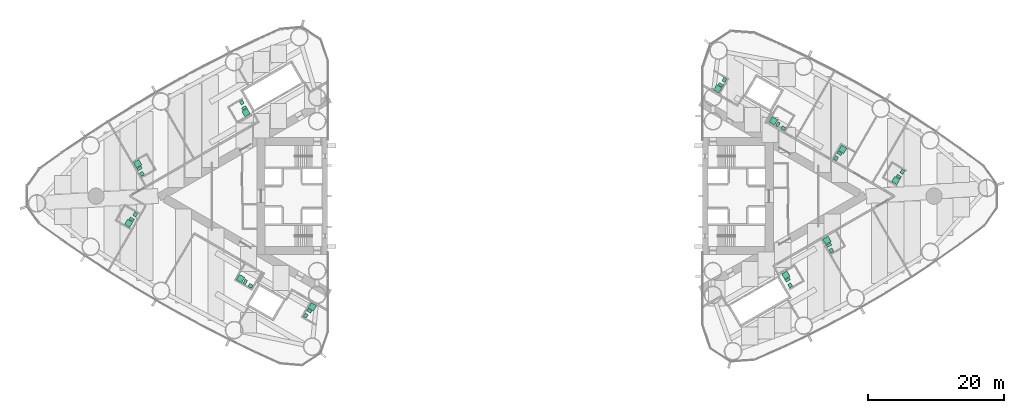
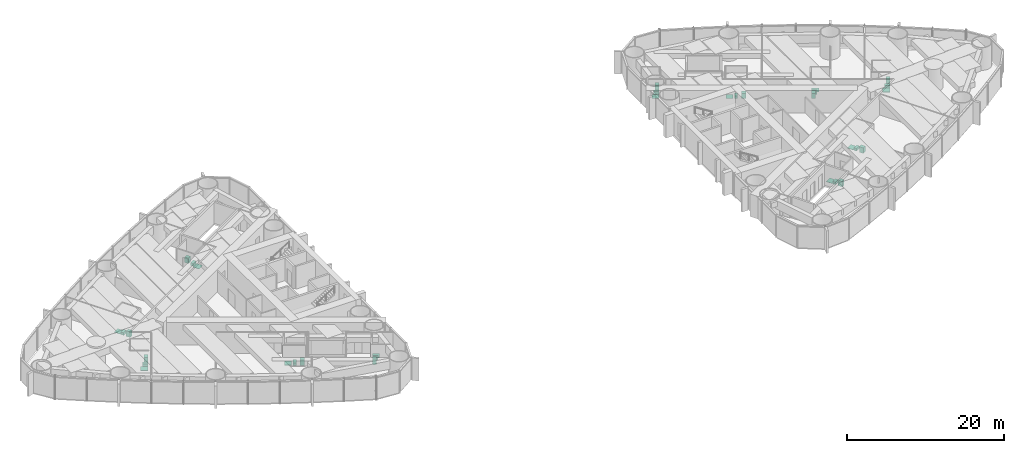
# One storey, part 18 of 18: 15 sanitary terminals.
"""IFC4 building model written with IfcOpenShell, lengths in metres."""

import ifcopenshell
import ifcopenshell.guid

model = None  # the IFC model being written
_history = None  # IfcOwnerHistory: only IFC2X3 demands one
_inside = {}  # id of a spatial element -> (the spatial element, [elements in it])
_under = {}  # id of a project, library or spatial element -> (it, [spatial elements below it])
_declared = {}  # id of a project -> (the project, [libraries it declares])
_typed = {}  # id of a type object -> (the type object, [elements of that type])
_made_of = {}  # id of a material, layer set ... -> (it, [elements and type objects made of it])


def new_model(schema):
    """Start an empty IFC model of exactly this schema.

    Asked for "IFC4X3", IfcOpenShell would pick the latest addendum, in which some entities
    have other attributes; the version numbers below select the first issue.
    IFC2X3 requires an IfcOwnerHistory on every rooted entity: one is made here for all.
    """
    global model, _history
    if schema == "IFC4X3":
        model = ifcopenshell.file(schema_version=(4, 3, 0, 0))
    else:
        model = ifcopenshell.file(schema=schema)
    _inside.clear()
    _under.clear()
    _declared.clear()
    _typed.clear()
    _made_of.clear()
    _history = None
    if model.schema == "IFC2X3":
        org = make("IfcOrganization", Name="unknown")
        user = make(
            "IfcPersonAndOrganization",
            ThePerson=make("IfcPerson", FamilyName="unknown"),
            TheOrganization=org,
        )
        app = make(
            "IfcApplication",
            ApplicationDeveloper=org,
            Version="unknown",
            ApplicationFullName="unknown",
            ApplicationIdentifier="unknown",
        )
        _history = make(
            "IfcOwnerHistory",
            OwningUser=user,
            OwningApplication=app,
            ChangeAction="ADDED",
            CreationDate=0,
        )
    return model


def make(cls, **values):
    """One entity of the class cls with the attributes given. An attribute that is None is left unset."""
    return model.create_entity(
        cls, **{name: value for name, value in values.items() if value is not None}
    )


def rooted(cls, **values):
    """An entity with a GlobalId (a new one), such as an element, a storey or a relation."""
    return make(cls, GlobalId=ifcopenshell.guid.new(), OwnerHistory=_history, **values)


def si_unit(unit_type, name, prefix=None):
    """IfcSIUnit, for example si_unit("LENGTHUNIT", "METRE", prefix="MILLI")."""
    return make("IfcSIUnit", UnitType=unit_type, Prefix=prefix, Name=name)


def assignment(units):
    """IfcUnitAssignment: the units of a project."""
    return None if units is None else make("IfcUnitAssignment", Units=units)


def point(xyz):
    """IfcCartesianPoint."""
    return None if xyz is None else make("IfcCartesianPoint", Coordinates=xyz)


def direction(xyz):
    """IfcDirection."""
    return None if xyz is None else make("IfcDirection", DirectionRatios=xyz)


def frame(location, z_axis=None, x_axis=None):
    """IfcAxis2Placement3D, a coordinate frame: its origin and axes. An axis left out is left unset."""
    return make(
        "IfcAxis2Placement3D",
        Location=point(location),
        Axis=direction(z_axis),
        RefDirection=direction(x_axis),
    )


def frame_2d(location, x_axis=None):
    """IfcAxis2Placement2D, a coordinate frame in the plane: its origin and x axis."""
    return make(
        "IfcAxis2Placement2D", Location=point(location), RefDirection=direction(x_axis)
    )


def origin():
    """The frame at (0, 0, 0) with its axes left unset."""
    return frame((0.0, 0.0, 0.0))


def origin_2d():
    """The frame at (0, 0) in the plane with its x axis left unset."""
    return frame_2d((0.0, 0.0))


def place(relative_to, where):
    """IfcLocalPlacement: puts the frame where relative to a parent placement (None: the world)."""
    return make(
        "IfcLocalPlacement", PlacementRelTo=relative_to, RelativePlacement=where
    )


def context(
    kind, dimensions, precision=None, world=None, true_north=None, identifier=None
):
    """IfcGeometricRepresentationContext, for example the 3D "Model" context."""
    return make(
        "IfcGeometricRepresentationContext",
        ContextIdentifier=identifier,
        ContextType=kind,
        CoordinateSpaceDimension=dimensions,
        Precision=precision,
        WorldCoordinateSystem=world,
        TrueNorth=true_north,
    )


def subcontext(parent, identifier, kind, view, scale=None):
    """IfcGeometricRepresentationSubContext, for example "Body" below "Model"."""
    return make(
        "IfcGeometricRepresentationSubContext",
        ContextIdentifier=identifier,
        ContextType=kind,
        ParentContext=parent,
        TargetScale=scale,
        TargetView=view,
    )


def project(units=None, contexts=None):
    """IfcProject with its units and contexts."""
    return rooted(
        "IfcProject",
        Name="project",
        RepresentationContexts=contexts,
        UnitsInContext=assignment(units),
    )


def spatial(cls, under=None, at=None, **own):
    """A site, building, storey or space (cls), placed at a placement, below another one or the project."""
    s = rooted(cls, ObjectPlacement=at, **own)
    if under is not None:
        _under.setdefault(under.id(), (under, []))[1].append(s)
    return s


def profile(cls, at=None, kind="AREA", **sizes):
    """A parametric profile (cls). Its sizes go by their IFC names, for example OverallWidth=200.0."""
    return make(cls, ProfileType=kind, Position=at, **sizes)


def rectangle(**sizes):
    """IfcRectangleProfileDef."""
    return profile("IfcRectangleProfileDef", **sizes)


def extrude(swept, where, along, depth):
    """IfcExtrudedAreaSolid: the profile swept, set in the frame where, extruded along a direction by depth."""
    return make(
        "IfcExtrudedAreaSolid",
        SweptArea=swept,
        Position=where,
        ExtrudedDirection=direction(along),
        Depth=depth,
    )


def shape(context_of_items, identifier, shape_type, items):
    """IfcShapeRepresentation: the items that make up one representation, for example the "Body"."""
    return make(
        "IfcShapeRepresentation",
        ContextOfItems=context_of_items,
        RepresentationIdentifier=identifier,
        RepresentationType=shape_type,
        Items=items,
    )


def material(Name=None, Category=None):
    """IfcMaterial."""
    return make("IfcMaterial", Name=Name, Category=Category)


def made_of(thing, what):
    """Note that an element or type object is made of a material, layer set ...; save() writes the relation."""
    if what is not None:
        _made_of.setdefault(what.id(), (what, []))[1].append(thing)
    return thing


def type_object(cls, material=None, **own):
    """A type object (cls), such as IfcWallType, which elements share."""
    return made_of(rooted(cls, **own), material)


def element(
    cls,
    number,
    at=None,
    inside=None,
    cuts=None,
    type_object=None,
    material=None,
    context=None,
    identifier="Body",
    shape_type=None,
    held_by="IfcProductDefinitionShape",
    body=None,
    shapes=None,
    **own,
):
    """One element of the class cls, such as IfcWall. Its Tag is "e" and its number.

    at: its placement. inside: the storey or other place that contains it. cuts: it is an
    opening in that element (IfcRelVoidsElement). A single representation is given by context,
    identifier, shape_type and body (its items); several are given by shapes. held_by: the class
    of the entity that holds the representations. save() writes the other relations.
    """
    e = rooted(cls, Tag="e%d" % number, ObjectPlacement=at, **own)
    if body is not None:
        shapes = [shape(context, identifier, shape_type, body)]
    if shapes is not None:
        e.Representation = make(held_by, Representations=shapes)
    if inside is not None:
        _inside.setdefault(inside.id(), (inside, []))[1].append(e)
    if cuts is not None:
        rooted(
            "IfcRelVoidsElement", RelatingBuildingElement=cuts, RelatedOpeningElement=e
        )
    if type_object is not None:
        _typed.setdefault(type_object.id(), (type_object, []))[1].append(e)
    return made_of(e, material)


def aggregate(whole, parts):
    """IfcRelAggregates: a whole, such as a stair, and the parts it consists of."""
    return rooted("IfcRelAggregates", RelatingObject=whole, RelatedObjects=parts)


def save(model, path):
    """Write the relations noted so far, then the file.

    IfcRelAggregates (storeys below a building ...), IfcRelContainedInSpatialStructure (elements
    in a storey), IfcRelDefinesByType, IfcRelAssociatesMaterial and IfcRelDeclares: one each for
    every whole, place, type object, material and project.
    """
    for whole, parts in _under.values():
        aggregate(whole, parts)
    for where, things in _inside.values():
        rooted(
            "IfcRelContainedInSpatialStructure",
            RelatedElements=things,
            RelatingStructure=where,
        )
    for kind, things in _typed.values():
        rooted("IfcRelDefinesByType", RelatedObjects=things, RelatingType=kind)
    for what, things in _made_of.values():
        rooted("IfcRelAssociatesMaterial", RelatedObjects=things, RelatingMaterial=what)
    for by, libraries in _declared.values():
        rooted("IfcRelDeclares", RelatingContext=by, RelatedDefinitions=libraries)
    model.write(path)


model = new_model("IFC4")

# Units and contexts
model_context = context("Model", 3, precision=1e-05, world=origin(), true_north=direction((0.0, 1.0)))
body_context = subcontext(model_context, "Body", "Model", "MODEL_VIEW")
ifc_project = project(units=[si_unit("LENGTHUNIT", "METRE"), si_unit("AREAUNIT", "SQUARE_METRE"), si_unit("VOLUMEUNIT", "CUBIC_METRE"), si_unit("PLANEANGLEUNIT", "RADIAN"), si_unit("MASSUNIT", "GRAM", prefix="KILO")], contexts=[model_context])

# Site, building, storey
site_placement = place(None, origin())
site = spatial("IfcSite", under=ifc_project, at=site_placement, CompositionType="ELEMENT")
building_placement = place(site_placement, origin())
building = spatial("IfcBuilding", under=site, at=building_placement, Name="Lancet Gate Hotel", CompositionType="ELEMENT")
storey_placement = place(building_placement, frame((0.0, 0.0, 139.60009765625)))
storey = spatial("IfcBuildingStorey", under=building, at=storey_placement, Name="L37", CompositionType="ELEMENT", Elevation=139.60009765625)

# Sanitary terminals
ifc_material_1 = material(Name="Vitreous china sanitary ware")
sanitary_terminal_type_1 = type_object("IfcSanitaryTerminalType", Name="En-suite sanitary set (shower, WC, basin)", PredefinedType="USERDEFINED", material=ifc_material_1)
sanitary_terminal_1_placement = place(storey_placement, frame((-55.39208984375, 4.755126953125, 0.0), z_axis=(0.0, 0.0, 1.0), x_axis=(1.0, 0.0, 0.0)))
element("IfcSanitaryTerminal", 1, at=sanitary_terminal_1_placement, inside=storey, type_object=sanitary_terminal_type_1, Name="En-suite sanitary set (shower, WC, basin) 3703", ObjectType="EN-SUITE SANITARY SET", PredefinedType="USERDEFINED", context=body_context, shape_type="SweptSolid", body=[
    extrude(rectangle(XDim=0.89990234375, YDim=0.89990234375, at=origin_2d()), frame((0.0, 0.0, 0.0), z_axis=(0.0, 0.0, 1.0), x_axis=(-0.5, 0.866025403784, 0.0)), (0.0, 0.0, 1.0), 0.050048828125),
    extrude(rectangle(XDim=0.39990234375, YDim=0.699951171875, at=origin_2d()), frame((0.2783203125, -0.68212890625, 0.0), z_axis=(0.0, 0.0, 1.0), x_axis=(-0.5, 0.866025403784, 0.0)), (0.0, 0.0, 1.0), 0.39990234375),
    extrude(rectangle(XDim=0.60009765625, YDim=0.5, at=origin_2d()), frame((0.6318359375, -1.494140625, 0.0), z_axis=(0.0, 0.0, 1.0), x_axis=(-0.5, 0.866025403784, 0.0)), (0.0, 0.0, 1.0), 0.85009765625),
])
sanitary_terminal_2_placement = place(storey_placement, frame((-56.7255859375, -3.985107421875, 0.0), z_axis=(0.0, 0.0, 1.0), x_axis=(1.0, 0.0, 0.0)))
element("IfcSanitaryTerminal", 2, at=sanitary_terminal_2_placement, inside=storey, type_object=sanitary_terminal_type_1, Name="En-suite sanitary set (shower, WC, basin) 3705", ObjectType="EN-SUITE SANITARY SET", PredefinedType="USERDEFINED", context=body_context, shape_type="SweptSolid", body=[
    extrude(rectangle(XDim=0.89990234375, YDim=0.89990234375, at=origin_2d()), frame((0.0, 0.0, 0.0), z_axis=(0.0, 0.0, 1.0), x_axis=(-0.5, -0.866025403784, 0.0)), (0.0, 0.0, 1.0), 0.050048828125),
    extrude(rectangle(XDim=0.39990234375, YDim=0.699951171875, at=origin_2d()), frame((0.451416015625, 0.58203125, 0.0), z_axis=(0.0, 0.0, 1.0), x_axis=(-0.5, -0.866025403784, 0.0)), (0.0, 0.0, 1.0), 0.39990234375),
    extrude(rectangle(XDim=0.60009765625, YDim=0.5, at=origin_2d()), frame((0.97802734375, 1.294189453125, 0.0), z_axis=(0.0, 0.0, 1.0), x_axis=(-0.5, -0.866025403784, 0.0)), (0.0, 0.0, 1.0), 0.85009765625),
])
sanitary_terminal_3_placement = place(storey_placement, frame((-39.488525390625, 12.251220703125, 0.0), z_axis=(0.0, 0.0, 1.0), x_axis=(1.0, 0.0, 0.0)))
element("IfcSanitaryTerminal", 3, at=sanitary_terminal_3_placement, inside=storey, type_object=sanitary_terminal_type_1, Name="En-suite sanitary set (shower, WC, basin) 3702", ObjectType="EN-SUITE SANITARY SET", PredefinedType="USERDEFINED", context=body_context, shape_type="SweptSolid", body=[
    extrude(rectangle(XDim=0.89990234375, YDim=0.89990234375, at=origin_2d()), frame((0.0, 0.0, 0.0), z_axis=(0.0, 0.0, 1.0), x_axis=(0.5, -0.866025403784, 0.0)), (0.0, 0.0, 1.0), 0.050048828125),
    extrude(rectangle(XDim=0.39990234375, YDim=0.699951171875, at=origin_2d()), frame((-0.2783203125, 0.68212890625, 0.0), z_axis=(0.0, 0.0, 1.0), x_axis=(0.5, -0.866025403784, 0.0)), (0.0, 0.0, 1.0), 0.39990234375),
    extrude(rectangle(XDim=0.60009765625, YDim=0.5, at=origin_2d()), frame((-0.6318359375, 1.494384765625, 0.0), z_axis=(0.0, 0.0, 1.0), x_axis=(0.5, -0.866025403784, 0.0)), (0.0, 0.0, 1.0), 0.85009765625),
])
sanitary_terminal_4_placement = place(storey_placement, frame((-29.751708984375, -16.256103515625, 0.0), z_axis=(0.0, 0.0, 1.0), x_axis=(1.0, 0.0, 0.0)))
element("IfcSanitaryTerminal", 4, at=sanitary_terminal_4_placement, inside=storey, type_object=sanitary_terminal_type_1, Name="En-suite sanitary set (shower, WC, basin) 3708", ObjectType="EN-SUITE SANITARY SET", PredefinedType="USERDEFINED", context=body_context, shape_type="SweptSolid", body=[
    extrude(rectangle(XDim=0.89990234375, YDim=0.89990234375, at=origin_2d()), frame((0.0, 0.0, 0.0), z_axis=(0.0, 0.0, 1.0), x_axis=(0.5, 0.866025403784, 0.0)), (0.0, 0.0, 1.0), 0.050048828125),
    extrude(rectangle(XDim=0.39990234375, YDim=0.699951171875, at=origin_2d()), frame((-0.45166015625, -0.582275390625, 0.0), z_axis=(0.0, 0.0, 1.0), x_axis=(0.5, 0.866025403784, 0.0)), (0.0, 0.0, 1.0), 0.39990234375),
    extrude(rectangle(XDim=0.60009765625, YDim=0.5, at=origin_2d()), frame((-0.978271484375, -1.29443359375, 0.0), z_axis=(0.0, 0.0, 1.0), x_axis=(0.5, 0.866025403784, 0.0)), (0.0, 0.0, 1.0), 0.85009765625),
])
sanitary_terminal_5_placement = place(storey_placement, frame((45.797119140625, -6.4921875, 0.0), z_axis=(0.0, 0.0, 1.0), x_axis=(1.0, 0.0, 0.0)))
element("IfcSanitaryTerminal", 5, at=sanitary_terminal_5_placement, inside=storey, type_object=sanitary_terminal_type_1, Name="En-suite sanitary set (shower, WC, basin) 3755", ObjectType="EN-SUITE SANITARY SET", PredefinedType="USERDEFINED", context=body_context, shape_type="SweptSolid", body=[
    extrude(rectangle(XDim=0.89990234375, YDim=0.89990234375, at=origin_2d()), frame((0.0, 0.0, 0.0), z_axis=(0.0, 0.0, 1.0), x_axis=(-0.5, 0.866025403784, 0.0)), (0.0, 0.0, 1.0), 0.050048828125),
    extrude(rectangle(XDim=0.39990234375, YDim=0.699951171875, at=origin_2d()), frame((0.278564453125, -0.682373046875, 0.0), z_axis=(0.0, 0.0, 1.0), x_axis=(-0.5, 0.866025403784, 0.0)), (0.0, 0.0, 1.0), 0.39990234375),
    extrude(rectangle(XDim=0.60009765625, YDim=0.5, at=origin_2d()), frame((0.6318359375, -1.494384765625, 0.0), z_axis=(0.0, 0.0, 1.0), x_axis=(-0.5, 0.866025403784, 0.0)), (0.0, 0.0, 1.0), 0.85009765625),
])
sanitary_terminal_6_placement = place(storey_placement, frame((55.8798828125, 2.28759765625, 0.0), z_axis=(0.0, 0.0, 1.0), x_axis=(1.0, 0.0, 0.0)))
element("IfcSanitaryTerminal", 6, at=sanitary_terminal_6_placement, inside=storey, type_object=sanitary_terminal_type_1, Name="En-suite sanitary set (shower, WC, basin) 3758", ObjectType="EN-SUITE SANITARY SET", PredefinedType="USERDEFINED", context=body_context, shape_type="SweptSolid", body=[
    extrude(rectangle(XDim=0.89990234375, YDim=0.89990234375, at=origin_2d()), frame((0.0, 0.0, 0.0), z_axis=(0.0, 0.0, 1.0), x_axis=(-0.5, -0.866025403784, 0.0)), (0.0, 0.0, 1.0), 0.050048828125),
    extrude(rectangle(XDim=0.39990234375, YDim=0.699951171875, at=origin_2d()), frame((0.45166015625, 0.582275390625, 0.0), z_axis=(0.0, 0.0, 1.0), x_axis=(-0.5, -0.866025403784, 0.0)), (0.0, 0.0, 1.0), 0.39990234375),
    extrude(rectangle(XDim=0.60009765625, YDim=0.5, at=origin_2d()), frame((0.978271484375, 1.29443359375, 0.0), z_axis=(0.0, 0.0, 1.0), x_axis=(-0.5, -0.866025403784, 0.0)), (0.0, 0.0, 1.0), 0.85009765625),
])
sanitary_terminal_7_placement = place(storey_placement, frame((48.083740234375, 6.858154296875, 0.0), z_axis=(0.0, 0.0, 1.0), x_axis=(1.0, 0.0, 0.0)))
element("IfcSanitaryTerminal", 7, at=sanitary_terminal_7_placement, inside=storey, type_object=sanitary_terminal_type_1, Name="En-suite sanitary set (shower, WC, basin) 3760", ObjectType="EN-SUITE SANITARY SET", PredefinedType="USERDEFINED", context=body_context, shape_type="SweptSolid", body=[
    extrude(rectangle(XDim=0.89990234375, YDim=0.89990234375, at=origin_2d()), frame((0.0, 0.0, 0.0), z_axis=(0.0, 0.0, 1.0), x_axis=(0.5, 0.866025403784, 0.0)), (0.0, 0.0, 1.0), 0.050048828125),
    extrude(rectangle(XDim=0.39990234375, YDim=0.699951171875, at=origin_2d()), frame((-0.45166015625, -0.582275390625, 0.0), z_axis=(0.0, 0.0, 1.0), x_axis=(0.5, 0.866025403784, 0.0)), (0.0, 0.0, 1.0), 0.39990234375),
    extrude(rectangle(XDim=0.60009765625, YDim=0.5, at=origin_2d()), frame((-0.978271484375, -1.29443359375, 0.0), z_axis=(0.0, 0.0, 1.0), x_axis=(0.5, 0.866025403784, 0.0)), (0.0, 0.0, 1.0), 0.85009765625),
])
sanitary_terminal_8_placement = place(storey_placement, frame((39.74853515625, -11.60107421875, 0.0), z_axis=(0.0, 0.0, 1.0), x_axis=(1.0, 0.0, 0.0)))
element("IfcSanitaryTerminal", 8, at=sanitary_terminal_8_placement, inside=storey, type_object=sanitary_terminal_type_1, Name="En-suite sanitary set (shower, WC, basin) 3753", ObjectType="EN-SUITE SANITARY SET", PredefinedType="USERDEFINED", context=body_context, shape_type="SweptSolid", body=[
    extrude(rectangle(XDim=0.89990234375, YDim=0.89990234375, at=origin_2d()), frame((0.0, 0.0, 0.0), z_axis=(0.0, 0.0, 1.0), x_axis=(-0.5, 0.866025403784, 0.0)), (0.0, 0.0, 1.0), 0.050048828125),
    extrude(rectangle(XDim=0.39990234375, YDim=0.699951171875, at=origin_2d()), frame((0.2783203125, -0.68212890625, 0.0), z_axis=(0.0, 0.0, 1.0), x_axis=(-0.5, 0.866025403784, 0.0)), (0.0, 0.0, 1.0), 0.39990234375),
    extrude(rectangle(XDim=0.60009765625, YDim=0.5, at=origin_2d()), frame((0.6318359375, -1.494384765625, 0.0), z_axis=(0.0, 0.0, 1.0), x_axis=(-0.5, 0.866025403784, 0.0)), (0.0, 0.0, 1.0), 0.85009765625),
])
sanitary_terminal_9_placement = place(storey_placement, frame((29.751708984375, 15.756103515625, 0.0), z_axis=(0.0, 0.0, 1.0), x_axis=(1.0, 0.0, 0.0)))
element("IfcSanitaryTerminal", 9, at=sanitary_terminal_9_placement, inside=storey, type_object=sanitary_terminal_type_1, Name="En-suite sanitary set (shower, WC, basin) 3764", ObjectType="EN-SUITE SANITARY SET", PredefinedType="USERDEFINED", context=body_context, shape_type="SweptSolid", body=[
    extrude(rectangle(XDim=0.89990234375, YDim=0.89990234375, at=origin_2d()), frame((0.0, 0.0, 0.0), z_axis=(0.0, 0.0, 1.0), x_axis=(-0.5, -0.866025403784, 0.0)), (0.0, 0.0, 1.0), 0.050048828125),
    extrude(rectangle(XDim=0.39990234375, YDim=0.699951171875, at=origin_2d()), frame((0.45166015625, 0.582275390625, 0.0), z_axis=(0.0, 0.0, 1.0), x_axis=(-0.5, -0.866025403784, 0.0)), (0.0, 0.0, 1.0), 0.39990234375),
    extrude(rectangle(XDim=0.60009765625, YDim=0.5, at=origin_2d()), frame((0.978271484375, 1.29443359375, 0.0), z_axis=(0.0, 0.0, 1.0), x_axis=(-0.5, -0.866025403784, 0.0)), (0.0, 0.0, 1.0), 0.85009765625),
])
ifc_material_2 = material(Name="Stone resin shower tray", Category="masonry")
sanitary_terminal_type_2 = type_object("IfcSanitaryTerminalType", Name="Shower tray 900", PredefinedType="SHOWER", material=ifc_material_2)
for number, where, z_axis, x_axis, name in (
    (10, (-40.2763671875, -12.0966796875, 0.0), (0.0, 0.0, 1.0), (-0.866025403784, 0.5, 0.0), "Shower tray 900 3707"),
    (11, (37.922607421875, 11.038818359375, 0.0), (0.0, 0.0, 1.0), (-0.866025403784, 0.5, 0.0), "Shower tray 900 3762"),
):
    element("IfcSanitaryTerminal", number, at=place(storey_placement, frame(where, z_axis=z_axis, x_axis=x_axis)), inside=storey, type_object=sanitary_terminal_type_2, Name=name, PredefinedType="SHOWER", context=body_context, shape_type="SweptSolid", body=[
        extrude(rectangle(XDim=0.89990234375, YDim=0.89990234375, at=origin_2d()), origin(), (0.0, 0.0, 1.0), 0.050048828125),
    ])
ifc_material_3 = material(Name="Vitreous china sanitary ware")
sanitary_terminal_type_3 = type_object("IfcSanitaryTerminalType", Name="Vanity basin 600", PredefinedType="WASHHANDBASIN", material=ifc_material_3)
for number, where, z_axis, x_axis, name in (
    (12, (-38.808837890625, -13.1748046875, -0.000244140625), (0.0, 0.0, 1.0), (-0.866025403784, 0.5, 0.0), "Vanity basin 600 3707"),
    (13, (39.389892578125, 9.960693359375, -0.000244140625), (0.0, 0.0, 1.0), (-0.866025403784, 0.5, 0.0), "Vanity basin 600 3762"),
):
    element("IfcSanitaryTerminal", number, at=place(storey_placement, frame(where, z_axis=z_axis, x_axis=x_axis)), inside=storey, type_object=sanitary_terminal_type_3, Name=name, PredefinedType="WASHHANDBASIN", context=body_context, shape_type="SweptSolid", body=[
        extrude(rectangle(XDim=0.60009765625, YDim=0.5, at=origin_2d()), origin(), (0.0, 0.0, 1.0), 0.85009765625),
    ])
ifc_material_4 = material(Name="Vitreous china sanitary ware")
sanitary_terminal_type_4 = type_object("IfcSanitaryTerminalType", Name="WC pan wall hung", PredefinedType="TOILETPAN", material=ifc_material_4)
for number, where, z_axis, x_axis, name in (
    (14, (-39.607421875, -12.59814453125, 0.0), (0.0, 0.0, 1.0), (-0.866025403784, 0.5, 0.0), "WC pan wall hung 3707"),
    (15, (38.59130859375, 10.537109375, 0.0), (0.0, 0.0, 1.0), (-0.866025403784, 0.5, 0.0), "WC pan wall hung 3762"),
):
    element("IfcSanitaryTerminal", number, at=place(storey_placement, frame(where, z_axis=z_axis, x_axis=x_axis)), inside=storey, type_object=sanitary_terminal_type_4, Name=name, PredefinedType="TOILETPAN", context=body_context, shape_type="SweptSolid", body=[
        extrude(rectangle(XDim=0.39990234375, YDim=0.699951171875, at=origin_2d()), origin(), (0.0, 0.0, 1.0), 0.39990234375),
    ])

save(model, "model.ifc")
